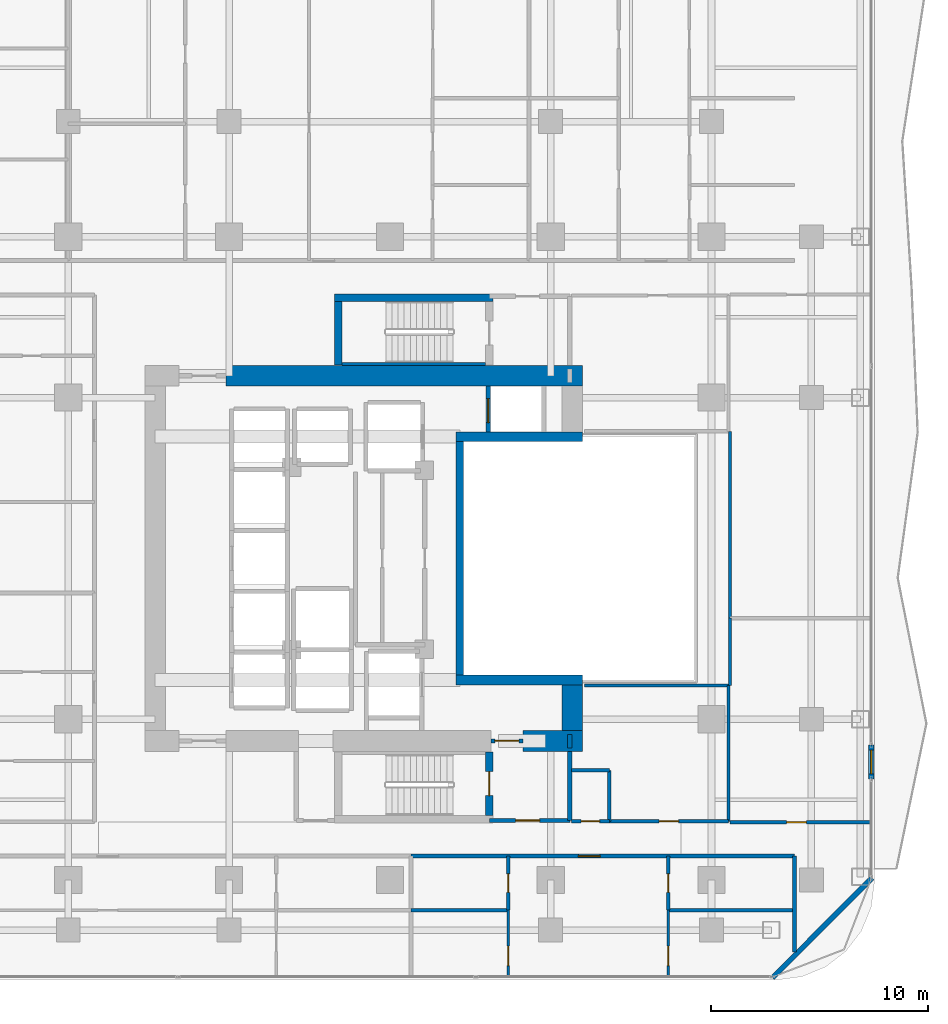
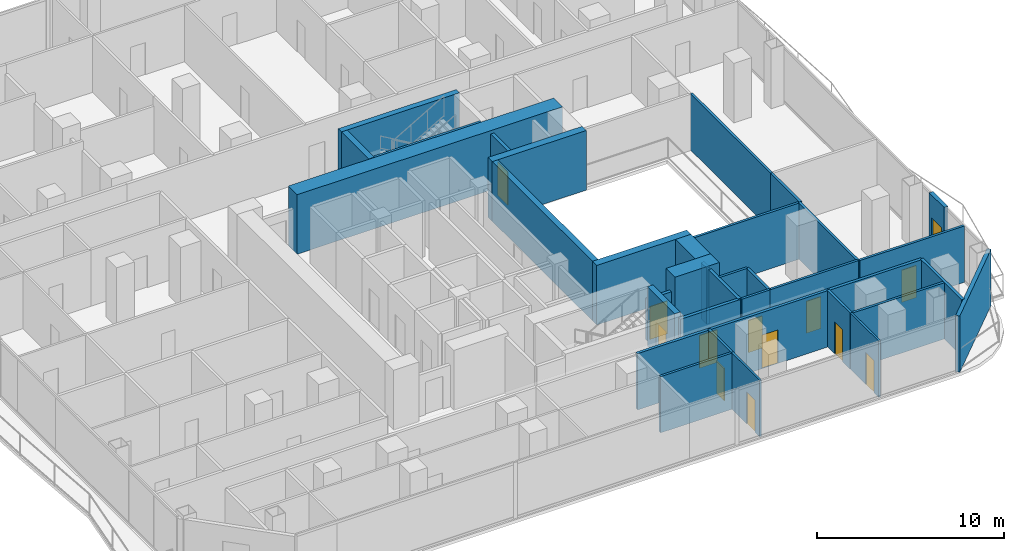
# One storey, part 21 of 27: 34 walls, 13 doors, 13 openings.
"""IFC4 building model written with IfcOpenShell, lengths in metres."""

from ifc_helpers import new_model, si_unit, direction, frame, frame_2d, origin, place, context, subcontext, project, spatial, rectangle, extrude, material, layer, layer_set, type_object, element, fill, save


model = new_model("IFC4")

# Units and contexts
model_context = context("Model", 3, precision=1e-05, world=origin(), true_north=direction((0.0, 1.0)))
body_context = subcontext(model_context, "Body", "Model", "MODEL_VIEW")
ifc_project = project(units=[si_unit("LENGTHUNIT", "METRE"), si_unit("AREAUNIT", "SQUARE_METRE"), si_unit("VOLUMEUNIT", "CUBIC_METRE"), si_unit("PLANEANGLEUNIT", "RADIAN"), si_unit("MASSUNIT", "GRAM", prefix="KILO")], contexts=[model_context])

# Site, building, storey
site_placement = place(None, origin())
site = spatial("IfcSite", under=ifc_project, at=site_placement, CompositionType="ELEMENT")
building_placement = place(site_placement, origin())
building = spatial("IfcBuilding", under=site, at=building_placement, Name="Khorvyn Point Tower", CompositionType="ELEMENT")
storey_placement = place(building_placement, frame((0.0, 0.0, 96.89990234375)))
storey = spatial("IfcBuildingStorey", under=building, at=storey_placement, Name="L24", CompositionType="ELEMENT", Elevation=96.89990234375)

# Wall, opening, door
ifc_material_1 = material(Name="Double acoustic gypsum on twin steel stud", Category="steel")
ifc_layer_1 = layer(ifc_material_1, 0.179931640625)
ifc_layer_set_1 = layer_set([ifc_layer_1], Name="Acoustic Double-Stud Apartment Demising Wall 180")
wall_type_1 = type_object("IfcWallType", Name="Acoustic Double-Stud Apartment Demising Wall 180", PredefinedType="PARTITIONING", material=ifc_layer_set_1)
wall_1_placement = place(storey_placement, frame((0.97412109375, -13.699951171875, 0.0), z_axis=(0.0, 0.0, 1.0), x_axis=(1.0, 0.0, 0.0)))
wall_1 = element("IfcWall", 1, at=wall_1_placement, inside=storey, type_object=wall_type_1, Name="Wall", PredefinedType="PARTITIONING", context=body_context, shape_type="SweptSolid", body=[
    extrude(rectangle(XDim=17.64599609375, YDim=0.179931640625, at=frame_2d((8.822998046875, 0.0))), origin(), (0.0, 0.0, 1.0), 3.68017578125),
])
opening_1_placement = place(wall_1_placement, frame((7.695068359375, 0.0, 0.0)))
opening_1 = element("IfcOpeningElement", 2, at=opening_1_placement, cuts=wall_1, Name="Opening ID-AP60", PredefinedType="OPENING", context=body_context, shape_type="SweptSolid", body=[
    extrude(rectangle(XDim=1.0, YDim=2.199951171875, at=frame_2d((0.5, 1.10009765625))), frame((0.0, 0.099853515625, 0.0), z_axis=(0.0, -1.0, 0.0), x_axis=(1.0, 0.0, 0.0)), (0.0, 0.0, 1.0), 0.199951171875),
])
ifc_material_2 = material(Name="Engineered hardwood fire-rated leaf", Category="wood")
door_type_1 = type_object("IfcDoorType", Name="Acoustic Solid-Core Timber Apartment Entrance Door 1000x2200", OperationType="NOTDEFINED", PredefinedType="DOOR", material=ifc_material_2)
door_1_placement = place(opening_1_placement, origin())
door_1 = element("IfcDoor", 3, at=door_1_placement, inside=storey, type_object=door_type_1, Name="Door", OperationType="SINGLE_SWING_LEFT", OverallHeight=2.199951171875, OverallWidth=1.0, PredefinedType="DOOR", context=body_context, shape_type="SweptSolid", body=[
    extrude(rectangle(XDim=1.0, YDim=2.199951171875, at=frame_2d((0.5, 1.10009765625))), frame((0.0, 0.02490234375, 0.0), z_axis=(0.0, -1.0, 0.0), x_axis=(1.0, 0.0, 0.0)), (0.0, 0.0, 1.0), 0.050048828125),
])
fill(opening_1, door_1)

# Wall
wall_2_placement = place(storey_placement, frame((18.6201171875, -18.110107421875, 0.0), z_axis=(0.0, 0.0, 1.0), x_axis=(0.0, 1.0, 0.0)))
element("IfcWall", 4, at=wall_2_placement, inside=storey, type_object=wall_type_1, Name="Wall", PredefinedType="PARTITIONING", context=body_context, shape_type="SweptSolid", body=[
    extrude(rectangle(XDim=4.41015625, YDim=0.179931640625, at=frame_2d((2.205078125, 0.0))), origin(), (0.0, 0.0, 1.0), 3.68017578125),
])

# Wall, opening, door
ifc_material_3 = material(Name="Pale anodised aluminium rainscreen on steel stud", Category="steel")
ifc_layer_2 = layer(ifc_material_3, 0.239990234375)
ifc_layer_set_2 = layer_set([ifc_layer_2], Name="Anodised Aluminium Insulated Corner Spandrel Wall 240")
wall_type_2 = type_object("IfcWallType", Name="Anodised Aluminium Insulated Corner Spandrel Wall 240", PredefinedType="SOLIDWALL", material=ifc_layer_set_2)
wall_3_placement = place(storey_placement, frame((22.14990234375, -8.576904296875, 0.0), z_axis=(0.0, 0.0, 1.0), x_axis=(0.0, -1.0, 0.0)))
wall_3 = element("IfcWall", 5, at=wall_3_placement, inside=storey, type_object=wall_type_2, Name="L24 East Outdoor Threshold Wall", PredefinedType="SOLIDWALL", context=body_context, shape_type="SweptSolid", body=[
    extrude(rectangle(XDim=1.580078125, YDim=0.239990234375, at=frame_2d((0.7900390625, 0.0))), origin(), (0.0, 0.0, 1.0), 3.68017578125),
])
opening_2_placement = place(wall_3_placement, frame((0.239990234375, 0.0, 0.0)))
opening_2 = element("IfcOpeningElement", 6, at=opening_2_placement, cuts=wall_3, Name="Opening BD-1122", PredefinedType="OPENING", context=body_context, shape_type="SweptSolid", body=[
    extrude(rectangle(XDim=1.10009765625, YDim=2.199951171875, at=frame_2d((0.550048828125, 1.10009765625))), frame((0.0, 0.1298828125, 0.0), z_axis=(0.0, -1.0, 0.0), x_axis=(1.0, 0.0, 0.0)), (0.0, 0.0, 1.0), 0.260009765625),
])
ifc_material_4 = material(Name="Anodised aluminium 6063-T6 and laminated Low-E glass", Category="aluminium")
door_type_2 = type_object("IfcDoorType", Name="Glazed Balcony and Terrace Threshold Door 1100x2200", OperationType="NOTDEFINED", PredefinedType="DOOR", material=ifc_material_4)
door_2_placement = place(opening_2_placement, origin())
door_2 = element("IfcDoor", 7, at=door_2_placement, inside=storey, type_object=door_type_2, Name="L24 East Glazed Balcony Outdoor Door", OperationType="SINGLE_SWING_RIGHT", OverallHeight=2.199951171875, OverallWidth=1.10009765625, PredefinedType="DOOR", context=body_context, shape_type="SweptSolid", body=[
    extrude(rectangle(XDim=1.10009765625, YDim=2.199951171875, at=frame_2d((0.550048828125, 1.10009765625))), frame((0.0, 0.02490234375, 0.0), z_axis=(0.0, -1.0, 0.0), x_axis=(1.0, 0.0, 0.0)), (0.0, 0.0, 1.0), 0.050048828125),
])
fill(opening_2, door_2)

# Walls
wall_4_placement = place(storey_placement, frame((22.1923828125, -14.70751953125, 0.0), z_axis=(0.0, 0.0, 1.0), x_axis=(-0.707087954376, -0.707125607496, 0.0)))
element("IfcWall", 8, at=wall_4_placement, inside=storey, type_object=wall_type_2, Name="L24 Rounded Corner Wall SE", PredefinedType="SOLIDWALL", context=body_context, shape_type="SweptSolid", body=[
    extrude(rectangle(XDim=6.48388671875, YDim=0.239990234375, at=frame_2d((3.241943359375, 0.0))), origin(), (0.0, 0.0, 1.0), 3.68017578125),
])
ifc_material_5 = material(Name="Concrete C40/50", Category="concrete")
ifc_layer_3 = layer(ifc_material_5, 0.449951171875)
ifc_layer_set_3 = layer_set([ifc_layer_3], Name="Concrete C40/50 Core Shear Wall 450")
wall_type_3 = type_object("IfcWallType", Name="Concrete C40/50 Core Shear Wall 450", PredefinedType="SHEAR", material=ifc_layer_set_3)
for number, where, z_axis, x_axis, name in (
    (9, (3.044921875, -5.60009765625, 0.0), (0.0, 0.0, 1.0), (1.0, 0.0, 0.0), "Wall"),
    (10, (3.044921875, 5.60009765625, 0.0), (0.0, 0.0, 1.0), (1.0, 0.0, 0.0), "Wall"),
):
    element("IfcWall", number, at=place(storey_placement, frame(where, z_axis=z_axis, x_axis=x_axis)), inside=storey, type_object=wall_type_3, Name=name, PredefinedType="SHEAR", context=body_context, shape_type="SweptSolid", body=[
        extrude(rectangle(XDim=5.830078125, YDim=0.449951171875, at=frame_2d((2.9150390625, 0.0))), origin(), (0.0, 0.0, 1.0), 3.900146484375),
    ])

# Wall, opening, door
ifc_layer_4 = layer(ifc_material_5, 0.199951171875)
ifc_layer_set_4 = layer_set([ifc_layer_4], Name="Concrete C40/50 Fire-Lobby Compartment Wall 200")
wall_type_4 = type_object("IfcWallType", Name="Concrete C40/50 Fire-Lobby Compartment Wall 200", PredefinedType="SOLIDWALL", material=ifc_layer_set_4)
wall_5_placement = place(storey_placement, frame((4.580078125, -12.06005859375, 0.0), z_axis=(0.0, 0.0, 1.0), x_axis=(1.0, 0.0, 0.0)))
wall_5 = element("IfcWall", 11, at=wall_5_placement, inside=storey, type_object=wall_type_4, Name="Wall", PredefinedType="SOLIDWALL", context=body_context, shape_type="SweptSolid", body=[
    extrude(rectangle(XDim=3.699951171875, YDim=0.199951171875, at=frame_2d((1.85009765625, 0.0))), origin(), (0.0, 0.0, 1.0), 3.68017578125),
])
opening_3_placement = place(wall_5_placement, frame((1.21240234375, 0.0, 0.0)))
opening_3 = element("IfcOpeningElement", 12, at=opening_3_placement, cuts=wall_5, Name="Opening ID-FL90", PredefinedType="OPENING", context=body_context, shape_type="SweptSolid", body=[
    extrude(rectangle(XDim=1.10009765625, YDim=2.14990234375, at=frame_2d((0.550048828125, 1.074951171875))), frame((0.0, 0.10986328125, 0.0), z_axis=(0.0, -1.0, 0.0), x_axis=(1.0, 0.0, 0.0)), (0.0, 0.0, 1.0), 0.219970703125),
])
ifc_material_6 = material(Name="Galvanised powder-coated steel", Category="steel")
door_type_3 = type_object("IfcDoorType", Name="Fire-Rated Steel Lobby and Stair Door 1100x2150", OperationType="NOTDEFINED", PredefinedType="DOOR", material=ifc_material_6)
door_3_placement = place(opening_3_placement, origin())
door_3 = element("IfcDoor", 13, at=door_3_placement, inside=storey, type_object=door_type_3, Name="Door", OperationType="SINGLE_SWING_RIGHT", OverallHeight=2.14990234375, OverallWidth=1.10009765625, PredefinedType="DOOR", context=body_context, shape_type="SweptSolid", body=[
    extrude(rectangle(XDim=1.10009765625, YDim=2.14990234375, at=frame_2d((0.550048828125, 1.074951171875))), frame((0.0, 0.02490234375, 0.0), z_axis=(0.0, -1.0, 0.0), x_axis=(1.0, 0.0, 0.0)), (0.0, 0.0, 1.0), 0.050048828125),
])
fill(opening_3, door_3)

wall_6_placement = place(storey_placement, frame((4.64990234375, -8.39990234375, 0.0), z_axis=(0.0, 0.0, 1.0), x_axis=(1.0, 0.0, 0.0)))
wall_6 = element("IfcWall", 14, at=wall_6_placement, inside=storey, type_object=wall_type_4, Name="Wall", PredefinedType="SOLIDWALL", context=body_context, shape_type="SweptSolid", body=[
    extrude(rectangle(XDim=1.47021484375, YDim=0.199951171875, at=frame_2d((0.735107421875, 0.0))), origin(), (0.0, 0.0, 1.0), 2.72021484375),
])
opening_4_placement = place(wall_6_placement, frame((0.18505859375, 0.0, 0.0)))
opening_4 = element("IfcOpeningElement", 15, at=opening_4_placement, cuts=wall_6, Name="Opening ID-FL90", PredefinedType="OPENING", context=body_context, shape_type="SweptSolid", body=[
    extrude(rectangle(XDim=1.10009765625, YDim=2.14990234375, at=frame_2d((0.550048828125, 1.074951171875))), frame((0.0, 0.10986328125, 0.0), z_axis=(0.0, -1.0, 0.0), x_axis=(1.0, 0.0, 0.0)), (0.0, 0.0, 1.0), 0.219970703125),
])
door_4_placement = place(opening_4_placement, origin())
door_4 = element("IfcDoor", 16, at=door_4_placement, inside=storey, type_object=door_type_3, Name="Door", OperationType="SINGLE_SWING_LEFT", OverallHeight=2.14990234375, OverallWidth=1.10009765625, PredefinedType="DOOR", context=body_context, shape_type="SweptSolid", body=[
    extrude(rectangle(XDim=1.10009765625, YDim=2.14990234375, at=frame_2d((0.550048828125, 1.074951171875))), frame((0.0, 0.02490234375, 0.0), z_axis=(0.0, -1.0, 0.0), x_axis=(1.0, 0.0, 0.0)), (0.0, 0.0, 1.0), 0.050048828125),
])
fill(opening_4, door_4)

# Walls
wall_7_placement = place(storey_placement, frame((8.280029296875, -12.06005859375, 0.0), z_axis=(0.0, 0.0, 1.0), x_axis=(0.0, 1.0, 0.0)))
element("IfcWall", 17, at=wall_7_placement, inside=storey, type_object=wall_type_4, Name="Wall", PredefinedType="SOLIDWALL", context=body_context, shape_type="SweptSolid", body=[
    extrude(rectangle(XDim=3.18505859375, YDim=0.199951171875, at=frame_2d((1.592529296875, 0.0))), origin(), (0.0, 0.0, 1.0), 3.68017578125),
])
wall_8_placement = place(storey_placement, frame((8.280029296875, -8.72509765625, 0.0), z_axis=(0.0, 0.0, 1.0), x_axis=(0.0, 1.0, 0.0)))
element("IfcWall", 18, at=wall_8_placement, inside=storey, type_object=wall_type_4, Name="Wall", PredefinedType="SOLIDWALL", context=body_context, shape_type="SweptSolid", body=[
    extrude(rectangle(XDim=0.625, YDim=0.199951171875, at=frame_2d((0.3125, 0.0))), origin(), (0.0, 0.0, 1.0), 3.68017578125),
])
ifc_layer_5 = layer(ifc_material_5, 0.25)
ifc_layer_set_5 = layer_set([ifc_layer_5], Name="Concrete C40/50 Stair Inner Cheek Structural Wall 250")
wall_type_5 = type_object("IfcWallType", Name="Concrete C40/50 Stair Inner Cheek Structural Wall 250", PredefinedType="SHEAR", material=ifc_layer_set_5)
wall_9_placement = place(storey_placement, frame((-2.199951171875, 8.949951171875, 0.0), z_axis=(0.0, 0.0, 1.0), x_axis=(1.0, 0.0, 0.0)))
element("IfcWall", 19, at=wall_9_placement, inside=storey, type_object=wall_type_5, Name="Wall", PredefinedType="SHEAR", context=body_context, shape_type="SweptSolid", body=[
    extrude(rectangle(XDim=6.599853515625, YDim=0.14990234375, at=frame_2d((3.2998046875, 0.0))), origin(), (0.0, 0.0, 1.0), 3.900146484375),
])
ifc_layer_6 = layer(ifc_material_5, 0.35009765625)
ifc_layer_set_6 = layer_set([ifc_layer_6], Name="Concrete C40/50 Stair Shaft Structural Wall 350")
wall_type_6 = type_object("IfcWallType", Name="Concrete C40/50 Stair Shaft Structural Wall 350", PredefinedType="SHEAR", material=ifc_layer_set_6)
wall_10_placement = place(storey_placement, frame((3.219970703125, -5.375, 0.0), z_axis=(0.0, 0.0, 1.0), x_axis=(0.0, 1.0, 0.0)))
element("IfcWall", 20, at=wall_10_placement, inside=storey, type_object=wall_type_6, Name="Wall", PredefinedType="SHEAR", context=body_context, shape_type="SweptSolid", body=[
    extrude(rectangle(XDim=10.75, YDim=0.35009765625, at=frame_2d((5.375, 0.0))), origin(), (0.0, 0.0, 1.0), 3.900146484375),
])

# Wall, opening, door
wall_11_placement = place(storey_placement, frame((4.580078125, -8.89990234375, 0.0), z_axis=(0.0, 0.0, 1.0), x_axis=(0.0, -1.0, 0.0)))
wall_11 = element("IfcWall", 21, at=wall_11_placement, inside=storey, type_object=wall_type_6, Name="L24 ST-01 East Landing Door Wall", PredefinedType="SHEAR", context=body_context, shape_type="SweptSolid", body=[
    extrude(rectangle(XDim=2.925048828125, YDim=0.35009765625, at=frame_2d((1.46240234375, 0.0))), origin(), (0.0, 0.0, 1.0), 3.900146484375),
])
opening_5_placement = place(wall_11_placement, frame((0.91259765625, 0.0, 0.0)))
opening_5 = element("IfcOpeningElement", 22, at=opening_5_placement, cuts=wall_11, Name="Opening ID-FL90", PredefinedType="OPENING", context=body_context, shape_type="SweptSolid", body=[
    extrude(rectangle(XDim=1.10009765625, YDim=2.14990234375, at=frame_2d((0.550048828125, 1.074951171875))), frame((0.0, 0.18505859375, 0.0), z_axis=(0.0, -1.0, 0.0), x_axis=(1.0, 0.0, 0.0)), (0.0, 0.0, 1.0), 0.3701171875),
])
door_5_placement = place(opening_5_placement, origin())
door_5 = element("IfcDoor", 23, at=door_5_placement, inside=storey, type_object=door_type_3, Name="L24 ST-01 Smokeproof Landing Door", OperationType="SINGLE_SWING_RIGHT", OverallHeight=2.14990234375, OverallWidth=1.10009765625, PredefinedType="DOOR", context=body_context, shape_type="SweptSolid", body=[
    extrude(rectangle(XDim=1.10009765625, YDim=2.14990234375, at=frame_2d((0.550048828125, 1.074951171875))), frame((0.0, 0.02490234375, 0.0), z_axis=(0.0, -1.0, 0.0), x_axis=(1.0, 0.0, 0.0)), (0.0, 0.0, 1.0), 0.050048828125),
])
fill(opening_5, door_5)

# Walls
wall_12_placement = place(storey_placement, frame((-2.554931640625, 12.0, 0.0), z_axis=(0.0, 0.0, 1.0), x_axis=(1.0, 0.0, 0.0)))
element("IfcWall", 24, at=wall_12_placement, inside=storey, type_object=wall_type_6, Name="L24 ST-02 North Shaft Wall", PredefinedType="SHEAR", context=body_context, shape_type="SweptSolid", body=[
    extrude(rectangle(XDim=7.309814453125, YDim=0.35009765625, at=frame_2d((3.65478515625, 0.0))), origin(), (0.0, 0.0, 1.0), 3.900146484375),
])
wall_13_placement = place(storey_placement, frame((-2.3798828125, 8.89990234375, 0.0), z_axis=(0.0, 0.0, 1.0), x_axis=(0.0, 1.0, 0.0)))
element("IfcWall", 25, at=wall_13_placement, inside=storey, type_object=wall_type_6, Name="L24 ST-02 West Shaft Wall", PredefinedType="SHEAR", context=body_context, shape_type="SweptSolid", body=[
    extrude(rectangle(XDim=2.925048828125, YDim=0.35009765625, at=frame_2d((1.46240234375, 0.0))), origin(), (0.0, 0.0, 1.0), 3.900146484375),
])

# Wall, opening, door
ifc_layer_7 = layer(ifc_material_5, 0.199951171875)
ifc_layer_set_7 = layer_set([ifc_layer_7], Name="Concrete C40/50 Structural Hoistway and Stair Shaft Wall 200")
wall_type_7 = type_object("IfcWallType", Name="Concrete C40/50 Structural Hoistway and Stair Shaft Wall 200", PredefinedType="SHEAR", material=ifc_layer_set_7)
wall_14_placement = place(storey_placement, frame((4.52490234375, 5.824951171875, 0.0), z_axis=(0.0, 0.0, 1.0), x_axis=(0.0, 1.0, 0.0)))
wall_14 = element("IfcWall", 26, at=wall_14_placement, inside=storey, type_object=wall_type_7, Name="Wall", PredefinedType="SHEAR", context=body_context, shape_type="SweptSolid", body=[
    extrude(rectangle(XDim=2.10009765625, YDim=0.199951171875, at=frame_2d((1.050048828125, 0.0))), origin(), (0.0, 0.0, 1.0), 3.68017578125),
])
opening_6_placement = place(wall_14_placement, frame((0.425048828125, 0.0, 0.0)))
opening_6 = element("IfcOpeningElement", 27, at=opening_6_placement, cuts=wall_14, Name="Opening LD-1122", PredefinedType="OPENING", context=body_context, shape_type="SweptSolid", body=[
    extrude(rectangle(XDim=1.10009765625, YDim=2.199951171875, at=frame_2d((0.550048828125, 1.10009765625))), frame((0.0, 0.10986328125, 0.0), z_axis=(0.0, -1.0, 0.0), x_axis=(1.0, 0.0, 0.0)), (0.0, 0.0, 1.0), 0.219970703125),
])
ifc_material_7 = material(Name="Stainless steel 1.4301", Category="steel")
door_type_4 = type_object("IfcDoorType", Name="Stainless Steel Automatic Sliding Lift Landing Door 1100x2200", OperationType="SLIDING_TO_LEFT", PredefinedType="DOOR", material=ifc_material_7)
door_6_placement = place(opening_6_placement, origin())
door_6 = element("IfcDoor", 28, at=door_6_placement, inside=storey, type_object=door_type_4, Name="L24 FF-02 Sliding Lift Landing Door", OperationType="SLIDING_TO_LEFT", OverallHeight=2.199951171875, OverallWidth=1.10009765625, PredefinedType="DOOR", context=body_context, shape_type="SweptSolid", body=[
    extrude(rectangle(XDim=1.10009765625, YDim=2.199951171875, at=frame_2d((0.550048828125, 1.10009765625))), frame((0.0, 0.02490234375, 0.0), z_axis=(0.0, -1.0, 0.0), x_axis=(1.0, 0.0, 0.0)), (0.0, 0.0, 1.0), 0.050048828125),
])
fill(opening_6, door_6)

# Walls
ifc_material_8 = material(Name="Concrete C50/60", Category="concrete")
ifc_layer_8 = layer(ifc_material_8, 0.949951171875)
ifc_layer_set_8 = layer_set([ifc_layer_8], Name="Concrete C50/60 Core Shear Wall 950")
wall_type_8 = type_object("IfcWallType", Name="Concrete C50/60 Core Shear Wall 950", PredefinedType="SHEAR", material=ifc_layer_set_8)
wall_15_placement = place(storey_placement, frame((6.1201171875, -8.39990234375, 0.0), z_axis=(0.0, 0.0, 1.0), x_axis=(1.0, 0.0, 0.0)))
element("IfcWall", 29, at=wall_15_placement, inside=storey, type_object=wall_type_8, Name="Wall", PredefinedType="SHEAR", context=body_context, shape_type="SweptSolid", body=[
    extrude(rectangle(XDim=2.7548828125, YDim=0.949951171875, at=frame_2d((1.37744140625, 0.0))), origin(), (0.0, 0.0, 1.0), 3.900146484375),
])
wall_16_placement = place(storey_placement, frame((-7.550048828125, 8.39990234375, 0.0), z_axis=(0.0, 0.0, 1.0), x_axis=(1.0, 0.0, 0.0)))
element("IfcWall", 30, at=wall_16_placement, inside=storey, type_object=wall_type_8, Name="Wall", PredefinedType="SHEAR", context=body_context, shape_type="SweptSolid", body=[
    extrude(rectangle(XDim=16.425048828125, YDim=0.949951171875, at=frame_2d((8.21240234375, 0.0))), origin(), (0.0, 0.0, 1.0), 3.900146484375),
])
wall_17_placement = place(storey_placement, frame((8.39990234375, -7.925048828125, 0.0), z_axis=(0.0, 0.0, 1.0), x_axis=(0.0, 1.0, 0.0)))
element("IfcWall", 31, at=wall_17_placement, inside=storey, type_object=wall_type_8, Name="Wall", PredefinedType="SHEAR", context=body_context, shape_type="SweptSolid", body=[
    extrude(rectangle(XDim=2.10009765625, YDim=0.949951171875, at=frame_2d((1.050048828125, 0.0))), origin(), (0.0, 0.0, 1.0), 3.900146484375),
])

# Wall, opening, door
ifc_material_9 = material(Name="Gypsum plasterboard on steel stud", Category="steel")
ifc_layer_9 = layer(ifc_material_9, 0.1201171875)
ifc_layer_set_9 = layer_set([ifc_layer_9], Name="Gypsum Acoustic Stud Room Partition Wall 120")
wall_type_9 = type_object("IfcWallType", Name="Gypsum Acoustic Stud Room Partition Wall 120", PredefinedType="PARTITIONING", material=ifc_layer_set_9)
wall_18_placement = place(storey_placement, frame((5.449951171875, -19.22998046875, 0.0), z_axis=(0.0, 0.0, 1.0), x_axis=(0.0, 1.0, 0.0)))
wall_18 = element("IfcWall", 32, at=wall_18_placement, inside=storey, type_object=wall_type_9, Name="Wall", PredefinedType="PARTITIONING", context=body_context, shape_type="SweptSolid", body=[
    extrude(rectangle(XDim=3.0400390625, YDim=0.1201171875, at=frame_2d((1.52001953125, 0.0))), origin(), (0.0, 0.0, 1.0), 3.68017578125),
])
opening_7_placement = place(wall_18_placement, frame((0.490966796875, 0.0, 0.0)))
opening_7 = element("IfcOpeningElement", 33, at=opening_7_placement, cuts=wall_18, Name="Opening ID-RM90", PredefinedType="OPENING", context=body_context, shape_type="SweptSolid", body=[
    extrude(rectangle(XDim=0.89990234375, YDim=2.10009765625, at=frame_2d((0.449951171875, 1.050048828125))), frame((0.0, 0.070068359375, 0.0), z_axis=(0.0, -1.0, 0.0), x_axis=(1.0, 0.0, 0.0)), (0.0, 0.0, 1.0), 0.14013671875),
])
ifc_material_10 = material(Name="Engineered oak veneer timber", Category="wood")
door_type_5 = type_object("IfcDoorType", Name="Flush Engineered Timber Room Door 900x2100", OperationType="NOTDEFINED", PredefinedType="DOOR", material=ifc_material_10)
door_7_placement = place(opening_7_placement, origin())
door_7 = element("IfcDoor", 34, at=door_7_placement, inside=storey, type_object=door_type_5, Name="Door", OperationType="SINGLE_SWING_LEFT", OverallHeight=2.10009765625, OverallWidth=0.89990234375, PredefinedType="DOOR", context=body_context, shape_type="SweptSolid", body=[
    extrude(rectangle(XDim=0.89990234375, YDim=2.10009765625, at=frame_2d((0.449951171875, 1.050048828125))), frame((0.0, 0.02490234375, 0.0), z_axis=(0.0, -1.0, 0.0), x_axis=(1.0, 0.0, 0.0)), (0.0, 0.0, 1.0), 0.050048828125),
])
fill(opening_7, door_7)

wall_19_placement = place(storey_placement, frame((12.81396484375, -19.22998046875, 0.0), z_axis=(0.0, 0.0, 1.0), x_axis=(0.0, 1.0, 0.0)))
wall_19 = element("IfcWall", 35, at=wall_19_placement, inside=storey, type_object=wall_type_9, Name="Wall", PredefinedType="PARTITIONING", context=body_context, shape_type="SweptSolid", body=[
    extrude(rectangle(XDim=3.0400390625, YDim=0.1201171875, at=frame_2d((1.52001953125, 0.0))), origin(), (0.0, 0.0, 1.0), 3.68017578125),
])
opening_8_placement = place(wall_19_placement, frame((0.490966796875, 0.0, 0.0)))
opening_8 = element("IfcOpeningElement", 36, at=opening_8_placement, cuts=wall_19, Name="Opening ID-RM90", PredefinedType="OPENING", context=body_context, shape_type="SweptSolid", body=[
    extrude(rectangle(XDim=0.89990234375, YDim=2.10009765625, at=frame_2d((0.449951171875, 1.050048828125))), frame((0.0, 0.070068359375, 0.0), z_axis=(0.0, -1.0, 0.0), x_axis=(1.0, 0.0, 0.0)), (0.0, 0.0, 1.0), 0.14013671875),
])
door_8_placement = place(opening_8_placement, origin())
door_8 = element("IfcDoor", 37, at=door_8_placement, inside=storey, type_object=door_type_5, Name="Door", OperationType="SINGLE_SWING_LEFT", OverallHeight=2.10009765625, OverallWidth=0.89990234375, PredefinedType="DOOR", context=body_context, shape_type="SweptSolid", body=[
    extrude(rectangle(XDim=0.89990234375, YDim=2.10009765625, at=frame_2d((0.449951171875, 1.050048828125))), frame((0.0, 0.02490234375, 0.0), z_axis=(0.0, -1.0, 0.0), x_axis=(1.0, 0.0, 0.0)), (0.0, 0.0, 1.0), 0.050048828125),
])
fill(opening_8, door_8)

ifc_material_11 = material(Name="Moisture-resistant gypsum and cement board", Category="gypsum")
ifc_layer_10 = layer(ifc_material_11, 0.14990234375)
ifc_layer_set_10 = layer_set([ifc_layer_10], Name="Moisture-Resistant Wet-Room Partition Wall 150")
wall_type_10 = type_object("IfcWallType", Name="Moisture-Resistant Wet-Room Partition Wall 150", PredefinedType="PARTITIONING", material=ifc_layer_set_10)
wall_20_placement = place(storey_placement, frame((8.360107421875, -12.10009765625, 0.0), z_axis=(0.0, 0.0, 1.0), x_axis=(1.0, 0.0, 0.0)))
wall_20 = element("IfcWall", 38, at=wall_20_placement, inside=storey, type_object=wall_type_10, Name="Wall", PredefinedType="PARTITIONING", context=body_context, shape_type="SweptSolid", body=[
    extrude(rectangle(XDim=1.739990234375, YDim=0.14990234375, at=frame_2d((0.8701171875, 0.0))), origin(), (0.0, 0.0, 1.0), 3.68017578125),
])
opening_9_placement = place(wall_20_placement, frame((0.445068359375, 0.0, 0.0)))
opening_9 = element("IfcOpeningElement", 39, at=opening_9_placement, cuts=wall_20, Name="Opening ID-WC85", PredefinedType="OPENING", context=body_context, shape_type="SweptSolid", body=[
    extrude(rectangle(XDim=0.85009765625, YDim=2.10009765625, at=frame_2d((0.425048828125, 1.050048828125))), frame((0.0, 0.0849609375, 0.0), z_axis=(0.0, -1.0, 0.0), x_axis=(1.0, 0.0, 0.0)), (0.0, 0.0, 1.0), 0.169921875),
])
ifc_material_12 = material(Name="High-pressure laminate on moisture-resistant core", Category="wood")
door_type_6 = type_object("IfcDoorType", Name="Moisture-Resistant Accessible Washroom Door 850x2100", OperationType="NOTDEFINED", PredefinedType="DOOR", material=ifc_material_12)
door_9_placement = place(opening_9_placement, origin())
door_9 = element("IfcDoor", 40, at=door_9_placement, inside=storey, type_object=door_type_6, Name="Door", OperationType="SINGLE_SWING_RIGHT", OverallHeight=2.10009765625, OverallWidth=0.85009765625, PredefinedType="DOOR", context=body_context, shape_type="SweptSolid", body=[
    extrude(rectangle(XDim=0.85009765625, YDim=2.10009765625, at=frame_2d((0.425048828125, 1.050048828125))), frame((0.0, 0.02490234375, 0.0), z_axis=(0.0, -1.0, 0.0), x_axis=(1.0, 0.0, 0.0)), (0.0, 0.0, 1.0), 0.050048828125),
])
fill(opening_9, door_9)

wall_21_placement = place(storey_placement, frame((10.10009765625, -12.10009765625, 0.0), z_axis=(0.0, 0.0, 1.0), x_axis=(1.0, 0.0, 0.0)))
wall_21 = element("IfcWall", 41, at=wall_21_placement, inside=storey, type_object=wall_type_10, Name="Wall", PredefinedType="PARTITIONING", context=body_context, shape_type="SweptSolid", body=[
    extrude(rectangle(XDim=5.47998046875, YDim=0.14990234375, at=frame_2d((2.739990234375, 0.0))), origin(), (0.0, 0.0, 1.0), 3.68017578125),
])
opening_10_placement = place(wall_21_placement, frame((2.2900390625, 0.0, 0.0)))
opening_10 = element("IfcOpeningElement", 42, at=opening_10_placement, cuts=wall_21, Name="Opening ID-RM90", PredefinedType="OPENING", context=body_context, shape_type="SweptSolid", body=[
    extrude(rectangle(XDim=0.89990234375, YDim=2.10009765625, at=frame_2d((0.449951171875, 1.050048828125))), frame((0.0, 0.0849609375, 0.0), z_axis=(0.0, -1.0, 0.0), x_axis=(1.0, 0.0, 0.0)), (0.0, 0.0, 1.0), 0.169921875),
])
door_10_placement = place(opening_10_placement, origin())
door_10 = element("IfcDoor", 43, at=door_10_placement, inside=storey, type_object=door_type_5, Name="Door", OperationType="SINGLE_SWING_LEFT", OverallHeight=2.10009765625, OverallWidth=0.89990234375, PredefinedType="DOOR", context=body_context, shape_type="SweptSolid", body=[
    extrude(rectangle(XDim=0.89990234375, YDim=2.10009765625, at=frame_2d((0.449951171875, 1.050048828125))), frame((0.0, 0.02490234375, 0.0), z_axis=(0.0, -1.0, 0.0), x_axis=(1.0, 0.0, 0.0)), (0.0, 0.0, 1.0), 0.050048828125),
])
fill(opening_10, door_10)

wall_22_placement = place(storey_placement, frame((5.449951171875, -16.18994140625, 0.0), z_axis=(0.0, 0.0, 1.0), x_axis=(0.0, 1.0, 0.0)))
wall_22 = element("IfcWall", 44, at=wall_22_placement, inside=storey, type_object=wall_type_10, Name="Wall", PredefinedType="PARTITIONING", context=body_context, shape_type="SweptSolid", body=[
    extrude(rectangle(XDim=2.489990234375, YDim=0.14990234375, at=frame_2d((1.2451171875, 0.0))), origin(), (0.0, 0.0, 1.0), 3.68017578125),
])
opening_11_placement = place(wall_22_placement, frame((0.820068359375, 0.0, 0.0)))
opening_11 = element("IfcOpeningElement", 45, at=opening_11_placement, cuts=wall_22, Name="Opening ID-WC85", PredefinedType="OPENING", context=body_context, shape_type="SweptSolid", body=[
    extrude(rectangle(XDim=0.85009765625, YDim=2.10009765625, at=frame_2d((0.425048828125, 1.050048828125))), frame((0.0, 0.0849609375, 0.0), z_axis=(0.0, -1.0, 0.0), x_axis=(1.0, 0.0, 0.0)), (0.0, 0.0, 1.0), 0.169921875),
])
door_11_placement = place(opening_11_placement, origin())
door_11 = element("IfcDoor", 46, at=door_11_placement, inside=storey, type_object=door_type_6, Name="Door", OperationType="SINGLE_SWING_RIGHT", OverallHeight=2.10009765625, OverallWidth=0.85009765625, PredefinedType="DOOR", context=body_context, shape_type="SweptSolid", body=[
    extrude(rectangle(XDim=0.85009765625, YDim=2.10009765625, at=frame_2d((0.425048828125, 1.050048828125))), frame((0.0, 0.02490234375, 0.0), z_axis=(0.0, -1.0, 0.0), x_axis=(1.0, 0.0, 0.0)), (0.0, 0.0, 1.0), 0.050048828125),
])
fill(opening_11, door_11)

wall_23_placement = place(storey_placement, frame((12.81396484375, -16.18994140625, 0.0), z_axis=(0.0, 0.0, 1.0), x_axis=(0.0, 1.0, 0.0)))
wall_23 = element("IfcWall", 47, at=wall_23_placement, inside=storey, type_object=wall_type_10, Name="Wall", PredefinedType="PARTITIONING", context=body_context, shape_type="SweptSolid", body=[
    extrude(rectangle(XDim=2.489990234375, YDim=0.14990234375, at=frame_2d((1.2451171875, 0.0))), origin(), (0.0, 0.0, 1.0), 3.68017578125),
])
opening_12_placement = place(wall_23_placement, frame((0.820068359375, 0.0, 0.0)))
opening_12 = element("IfcOpeningElement", 48, at=opening_12_placement, cuts=wall_23, Name="Opening ID-WC85", PredefinedType="OPENING", context=body_context, shape_type="SweptSolid", body=[
    extrude(rectangle(XDim=0.85009765625, YDim=2.10009765625, at=frame_2d((0.425048828125, 1.050048828125))), frame((0.0, 0.0849609375, 0.0), z_axis=(0.0, -1.0, 0.0), x_axis=(1.0, 0.0, 0.0)), (0.0, 0.0, 1.0), 0.169921875),
])
door_12_placement = place(opening_12_placement, origin())
door_12 = element("IfcDoor", 49, at=door_12_placement, inside=storey, type_object=door_type_6, Name="Door", OperationType="SINGLE_SWING_RIGHT", OverallHeight=2.10009765625, OverallWidth=0.85009765625, PredefinedType="DOOR", context=body_context, shape_type="SweptSolid", body=[
    extrude(rectangle(XDim=0.85009765625, YDim=2.10009765625, at=frame_2d((0.425048828125, 1.050048828125))), frame((0.0, 0.02490234375, 0.0), z_axis=(0.0, -1.0, 0.0), x_axis=(1.0, 0.0, 0.0)), (0.0, 0.0, 1.0), 0.050048828125),
])
fill(opening_12, door_12)

wall_24_placement = place(storey_placement, frame((15.64990234375, -12.139892578125, 0.0), z_axis=(0.0, 0.0, 1.0), x_axis=(1.0, 0.0, 0.0)))
wall_24 = element("IfcWall", 50, at=wall_24_placement, inside=storey, type_object=wall_type_10, Name="Wall", PredefinedType="PARTITIONING", context=body_context, shape_type="SweptSolid", body=[
    extrude(rectangle(XDim=6.47021484375, YDim=0.14990234375, at=frame_2d((3.235107421875, 0.0))), origin(), (0.0, 0.0, 1.0), 3.68017578125),
])
opening_13_placement = place(wall_24_placement, frame((2.610107421875, 0.0, 0.0)))
opening_13 = element("IfcOpeningElement", 51, at=opening_13_placement, cuts=wall_24, Name="Opening ID-RM90", PredefinedType="OPENING", context=body_context, shape_type="SweptSolid", body=[
    extrude(rectangle(XDim=0.89990234375, YDim=2.10009765625, at=frame_2d((0.449951171875, 1.050048828125))), frame((0.0, 0.0849609375, 0.0), z_axis=(0.0, -1.0, 0.0), x_axis=(1.0, 0.0, 0.0)), (0.0, 0.0, 1.0), 0.169921875),
])
door_13_placement = place(opening_13_placement, origin())
door_13 = element("IfcDoor", 52, at=door_13_placement, inside=storey, type_object=door_type_5, Name="Door", OperationType="SINGLE_SWING_LEFT", OverallHeight=2.10009765625, OverallWidth=0.89990234375, PredefinedType="DOOR", context=body_context, shape_type="SweptSolid", body=[
    extrude(rectangle(XDim=0.89990234375, YDim=2.10009765625, at=frame_2d((0.449951171875, 1.050048828125))), frame((0.0, 0.02490234375, 0.0), z_axis=(0.0, -1.0, 0.0), x_axis=(1.0, 0.0, 0.0)), (0.0, 0.0, 1.0), 0.050048828125),
])
fill(opening_13, door_13)

# Walls
wall_25_placement = place(storey_placement, frame((8.360107421875, -9.75, 0.0), z_axis=(0.0, 0.0, 1.0), x_axis=(1.0, 0.0, 0.0)))
element("IfcWall", 53, at=wall_25_placement, inside=storey, type_object=wall_type_10, Name="Wall", PredefinedType="PARTITIONING", context=body_context, shape_type="SweptSolid", body=[
    extrude(rectangle(XDim=1.739990234375, YDim=0.14990234375, at=frame_2d((0.8701171875, 0.0))), origin(), (0.0, 0.0, 1.0), 3.68017578125),
])
wall_26_placement = place(storey_placement, frame((10.10009765625, -12.10009765625, 0.0), z_axis=(0.0, 0.0, 1.0), x_axis=(0.0, 1.0, 0.0)))
element("IfcWall", 54, at=wall_26_placement, inside=storey, type_object=wall_type_10, Name="Wall", PredefinedType="PARTITIONING", context=body_context, shape_type="SweptSolid", body=[
    extrude(rectangle(XDim=2.35009765625, YDim=0.14990234375, at=frame_2d((1.175048828125, 0.0))), origin(), (0.0, 0.0, 1.0), 3.68017578125),
])
wall_27_placement = place(storey_placement, frame((15.580078125, -12.10009765625, 0.0), z_axis=(0.0, 0.0, 1.0), x_axis=(0.0, 1.0, 0.0)))
element("IfcWall", 55, at=wall_27_placement, inside=storey, type_object=wall_type_10, Name="Wall", PredefinedType="PARTITIONING", context=body_context, shape_type="SweptSolid", body=[
    extrude(rectangle(XDim=6.25, YDim=0.14990234375, at=frame_2d((3.125, 0.0))), origin(), (0.0, 0.0, 1.0), 3.68017578125),
])
wall_28_placement = place(storey_placement, frame((8.9599609375, -5.85009765625, 0.0), z_axis=(0.0, 0.0, 1.0), x_axis=(1.0, 0.0, 0.0)))
element("IfcWall", 56, at=wall_28_placement, inside=storey, type_object=wall_type_10, Name="Wall", PredefinedType="PARTITIONING", context=body_context, shape_type="SweptSolid", body=[
    extrude(rectangle(XDim=6.6201171875, YDim=0.14990234375, at=frame_2d((3.31005859375, 0.0))), origin(), (0.0, 0.0, 1.0), 3.68017578125),
])
wall_29_placement = place(storey_placement, frame((0.97412109375, -16.18994140625, 0.0), z_axis=(0.0, 0.0, 1.0), x_axis=(1.0, 0.0, 0.0)))
element("IfcWall", 57, at=wall_29_placement, inside=storey, type_object=wall_type_10, Name="Wall", PredefinedType="PARTITIONING", context=body_context, shape_type="SweptSolid", body=[
    extrude(rectangle(XDim=4.475830078125, YDim=0.14990234375, at=frame_2d((2.23779296875, 0.0))), origin(), (0.0, 0.0, 1.0), 3.68017578125),
])
wall_30_placement = place(storey_placement, frame((12.81396484375, -16.18994140625, 0.0), z_axis=(0.0, 0.0, 1.0), x_axis=(1.0, 0.0, 0.0)))
element("IfcWall", 58, at=wall_30_placement, inside=storey, type_object=wall_type_10, Name="Wall", PredefinedType="PARTITIONING", context=body_context, shape_type="SweptSolid", body=[
    extrude(rectangle(XDim=5.80615234375, YDim=0.14990234375, at=frame_2d((2.903076171875, 0.0))), origin(), (0.0, 0.0, 1.0), 3.68017578125),
])
wall_31_placement = place(storey_placement, frame((15.64990234375, -5.85009765625, 0.0), z_axis=(0.0, 0.0, 1.0), x_axis=(0.0, 1.0, 0.0)))
element("IfcWall", 59, at=wall_31_placement, inside=storey, type_object=wall_type_10, Name="Wall", PredefinedType="PARTITIONING", context=body_context, shape_type="SweptSolid", body=[
    extrude(rectangle(XDim=3.10009765625, YDim=0.14990234375, at=frame_2d((1.550048828125, 0.0))), origin(), (0.0, 0.0, 1.0), 3.68017578125),
])
wall_32_placement = place(storey_placement, frame((15.64990234375, -2.75, 0.0), z_axis=(0.0, 0.0, 1.0), x_axis=(0.0, 1.0, 0.0)))
element("IfcWall", 60, at=wall_32_placement, inside=storey, type_object=wall_type_10, Name="Wall", PredefinedType="PARTITIONING", context=body_context, shape_type="SweptSolid", body=[
    extrude(rectangle(XDim=8.60009765625, YDim=0.14990234375, at=frame_2d((4.300048828125, 0.0))), origin(), (0.0, 0.0, 1.0), 3.68017578125),
])

save(model, "model.ifc")
